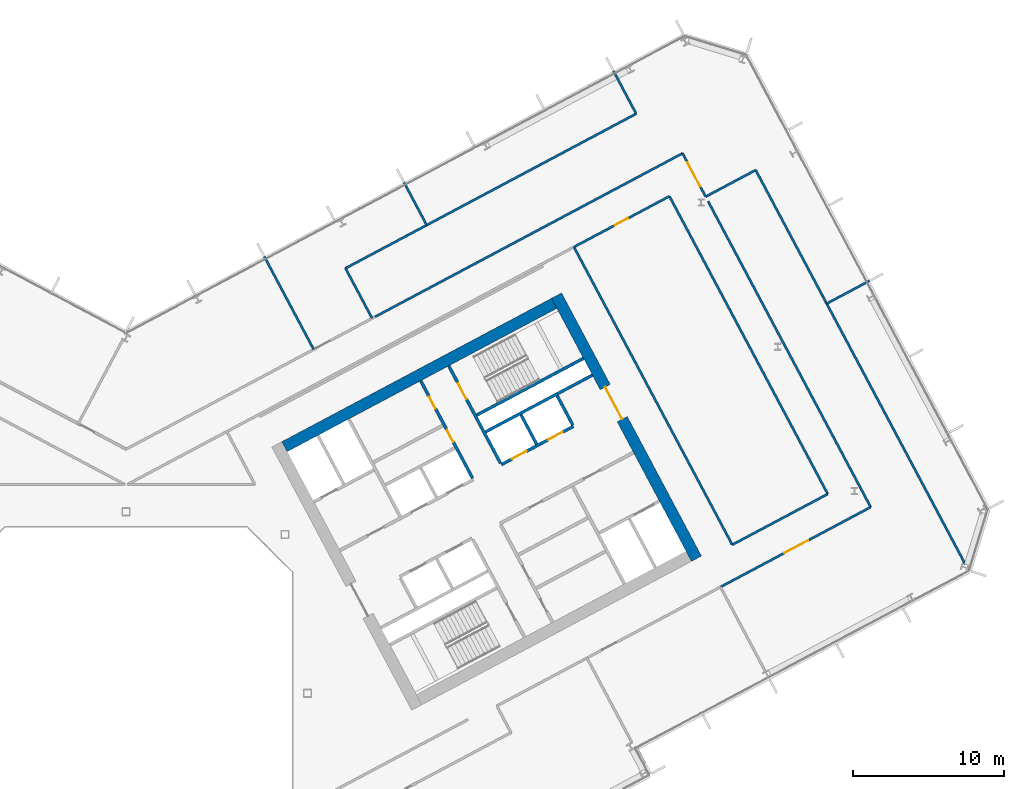
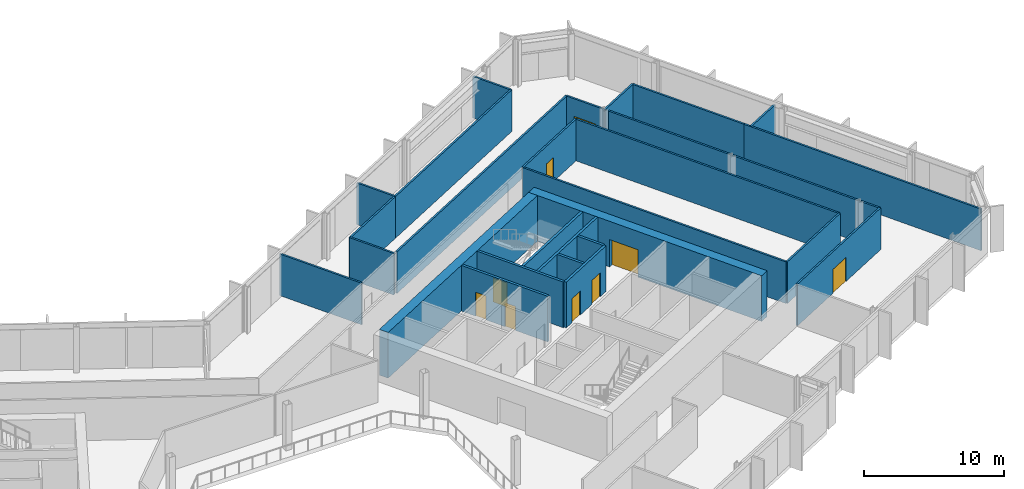
# One storey, part 17 of 28: 27 walls, 9 doors, 9 openings.
"""IFC4 building model written with IfcOpenShell, lengths in metres."""

from ifc_helpers import new_model, si_unit, direction, frame, frame_2d, origin, place, context, subcontext, project, spatial, rectangle, extrude, material, layer, layer_set, type_object, element, fill, save


model = new_model("IFC4")

# Units and contexts
model_context = context("Model", 3, precision=1e-05, world=origin(), true_north=direction((0.0, 1.0)))
body_context = subcontext(model_context, "Body", "Model", "MODEL_VIEW")
ifc_project = project(units=[si_unit("LENGTHUNIT", "METRE"), si_unit("AREAUNIT", "SQUARE_METRE"), si_unit("VOLUMEUNIT", "CUBIC_METRE"), si_unit("PLANEANGLEUNIT", "RADIAN"), si_unit("MASSUNIT", "GRAM", prefix="KILO")], contexts=[model_context])

# Site, building, storey
site_placement = place(None, origin())
site = spatial("IfcSite", under=ifc_project, at=site_placement, CompositionType="ELEMENT")
building_placement = place(site_placement, origin())
building = spatial("IfcBuilding", under=site, at=building_placement, Name="Cormorant Relay Tower", CompositionType="ELEMENT")
storey_placement = place(building_placement, frame((0.0, 0.0, 134.199951171875)))
storey = spatial("IfcBuildingStorey", under=building, at=storey_placement, Name="L27", CompositionType="ELEMENT", Elevation=134.199951171875)

# Wall
ifc_material_1 = material(Name="Concrete 40 MPa", Category="concrete")
ifc_layer_1 = layer(ifc_material_1, 0.199951171875)
ifc_layer_set_1 = layer_set([ifc_layer_1], Name="Core internal wall 200")
wall_type_1 = type_object("IfcWallType", Name="Core internal wall 200", PredefinedType="SOLIDWALL", material=ifc_layer_set_1)
wall_1_placement = place(storey_placement, frame((27.144287109375, 16.471435546875, 0.0), z_axis=(0.0, 0.0, 1.0), x_axis=(-0.469401318492, 0.882984938828, 0.0)))
element("IfcWall", 1, at=wall_1_placement, inside=storey, type_object=wall_type_1, Name="L27 core B shaft and room wall", PredefinedType="SOLIDWALL", context=body_context, shape_type="SweptSolid", body=[
    extrude(rectangle(XDim=2.199951171875, YDim=0.199951171875, at=frame_2d((1.10009765625, 0.0))), origin(), (0.0, 0.0, 1.0), 4.0),
])

# Wall, openings, doors
ifc_material_2 = material(Name="Concrete 50 MPa", Category="concrete")
ifc_layer_2 = layer(ifc_material_2, 0.199951171875)
ifc_layer_set_2 = layer_set([ifc_layer_2], Name="Core shaft wall 200")
wall_type_2 = type_object("IfcWallType", Name="Core shaft wall 200", PredefinedType="SHEAR", material=ifc_layer_set_2)
wall_2_placement = place(storey_placement, frame((22.90625, 14.218017578125, 0.0), z_axis=(0.0, 0.0, 1.0), x_axis=(-0.469480409012, 0.88294288918, 0.0)))
wall_2 = element("IfcWall", 2, at=wall_2_placement, inside=storey, type_object=wall_type_2, Name="L27 core B shaft wall", PredefinedType="SHEAR", context=body_context, shape_type="SweptSolid", body=[
    extrude(rectangle(XDim=7.300048828125, YDim=0.199951171875, at=frame_2d((3.64990234375, 0.0))), origin(), (0.0, 0.0, 1.0), 4.0),
])
opening_1_placement = place(wall_2_placement, frame((2.699951171875, 0.0, 0.0)))
opening_1 = element("IfcOpeningElement", 3, at=opening_1_placement, cuts=wall_2, Name="Opening CDD-192", PredefinedType="OPENING", context=body_context, shape_type="SweptSolid", body=[
    extrude(rectangle(XDim=0.89990234375, YDim=2.10009765625, at=frame_2d((0.449951171875, 1.050048828125))), frame((0.0, 0.10986328125, 0.0), z_axis=(0.0, -1.0, 0.0), x_axis=(1.0, 0.0, 0.0)), (0.0, 0.0, 1.0), 0.219970703125),
])
opening_2_placement = place(wall_2_placement, frame((5.199951171875, 0.0, 0.0)))
opening_2 = element("IfcOpeningElement", 4, at=opening_2_placement, cuts=wall_2, Name="Opening CDD-193", PredefinedType="OPENING", context=body_context, shape_type="SweptSolid", body=[
    extrude(rectangle(XDim=0.89990234375, YDim=2.10009765625, at=frame_2d((0.449951171875, 1.050048828125))), frame((0.0, 0.10986328125, 0.0), z_axis=(0.0, -1.0, 0.0), x_axis=(1.0, 0.0, 0.0)), (0.0, 0.0, 1.0), 0.219970703125),
])
ifc_material_3 = material(Name="Steel fire door", Category="steel")
door_type_1 = type_object("IfcDoorType", Name="Core room door 900x2100", OperationType="SINGLE_SWING_LEFT", PredefinedType="DOOR", material=ifc_material_3)
door_1_placement = place(opening_1_placement, origin())
door_1 = element("IfcDoor", 5, at=door_1_placement, inside=storey, type_object=door_type_1, Name="Core room door 900x2100", OperationType="SINGLE_SWING_RIGHT", OverallHeight=2.10009765625, OverallWidth=0.89990234375, PredefinedType="DOOR", context=body_context, shape_type="SweptSolid", body=[
    extrude(rectangle(XDim=0.89990234375, YDim=2.10009765625, at=frame_2d((0.449951171875, 1.050048828125))), frame((0.0, 0.02490234375, 0.0), z_axis=(0.0, -1.0, 0.0), x_axis=(1.0, 0.0, 0.0)), (0.0, 0.0, 1.0), 0.050048828125),
])
fill(opening_1, door_1)
door_2_placement = place(opening_2_placement, origin())
door_2 = element("IfcDoor", 6, at=door_2_placement, inside=storey, type_object=door_type_1, Name="Core room door 900x2100", OperationType="SINGLE_SWING_LEFT", OverallHeight=2.10009765625, OverallWidth=0.89990234375, PredefinedType="DOOR", context=body_context, shape_type="SweptSolid", body=[
    extrude(rectangle(XDim=0.89990234375, YDim=2.10009765625, at=frame_2d((0.449951171875, 1.050048828125))), frame((0.0, 0.02490234375, 0.0), z_axis=(0.0, -1.0, 0.0), x_axis=(1.0, 0.0, 0.0)), (0.0, 0.0, 1.0), 0.050048828125),
])
fill(opening_2, door_2)

# Wall, opening, door
wall_3_placement = place(storey_placement, frame((24.760498046875, 15.2041015625, 0.0), z_axis=(0.0, 0.0, 1.0), x_axis=(-0.469494272526, 0.882935517501, 0.0)))
wall_3 = element("IfcWall", 7, at=wall_3_placement, inside=storey, type_object=wall_type_2, Name="L27 core B shaft wall", PredefinedType="SHEAR", context=body_context, shape_type="SweptSolid", body=[
    extrude(rectangle(XDim=7.2998046875, YDim=0.199951171875, at=frame_2d((3.64990234375, 0.0))), origin(), (0.0, 0.0, 1.0), 4.0),
])
opening_3_placement = place(wall_3_placement, frame((4.800048828125, 0.0, 0.0)))
opening_3 = element("IfcOpeningElement", 8, at=opening_3_placement, cuts=wall_3, Name="Opening CDB-037", PredefinedType="OPENING", context=body_context, shape_type="SweptSolid", body=[
    extrude(rectangle(XDim=1.199951171875, YDim=2.10009765625, at=frame_2d((0.60009765625, 1.050048828125))), frame((0.0, 0.10986328125, 0.0), z_axis=(0.0, -1.0, 0.0), x_axis=(1.0, 0.0, 0.0)), (0.0, 0.0, 1.0), 0.219970703125),
])
ifc_material_4 = material(Name="Steel fire door", Category="steel")
door_type_2 = type_object("IfcDoorType", Name="Core stair door 1200x2100", OperationType="SINGLE_SWING_LEFT", PredefinedType="DOOR", material=ifc_material_4)
door_3_placement = place(opening_3_placement, frame((1.199951171875, 0.0, 0.0), z_axis=(0.0, 0.0, 1.0), x_axis=(-1.0, 0.0, 0.0)))
door_3 = element("IfcDoor", 9, at=door_3_placement, inside=storey, type_object=door_type_2, Name="Core stair door 1200x2100", OperationType="SINGLE_SWING_RIGHT", OverallHeight=2.10009765625, OverallWidth=1.199951171875, PredefinedType="DOOR", context=body_context, shape_type="SweptSolid", body=[
    extrude(rectangle(XDim=1.199951171875, YDim=2.10009765625, at=frame_2d((0.60009765625, 1.050048828125))), frame((0.0, 0.02490234375, 0.0), z_axis=(0.0, -1.0, 0.0), x_axis=(1.0, 0.0, 0.0)), (0.0, 0.0, 1.0), 0.050048828125),
])
fill(opening_3, door_3)

# Wall
wall_4_placement = place(storey_placement, frame((29.5283203125, 17.739013671875, 0.0), z_axis=(0.0, 0.0, 1.0), x_axis=(-0.469401318492, 0.882984938828, 0.0)))
element("IfcWall", 10, at=wall_4_placement, inside=storey, type_object=wall_type_2, Name="L27 core B shaft wall", PredefinedType="SHEAR", context=body_context, shape_type="SweptSolid", body=[
    extrude(rectangle(XDim=2.199951171875, YDim=0.199951171875, at=frame_2d((1.10009765625, 0.0))), origin(), (0.0, 0.0, 1.0), 4.0),
])

# Wall, openings, doors
wall_5_placement = place(storey_placement, frame((24.807373046875, 15.11572265625, 0.0), z_axis=(0.0, 0.0, 1.0), x_axis=(0.882942972946, 0.469480251476, 0.0)))
wall_5 = element("IfcWall", 11, at=wall_5_placement, inside=storey, type_object=wall_type_2, Name="L27 core B shaft wall", PredefinedType="SHEAR", context=body_context, shape_type="SweptSolid", body=[
    extrude(rectangle(XDim=5.39990234375, YDim=0.199951171875, at=frame_2d((2.699951171875, 0.0))), origin(), (0.0, 0.0, 1.0), 4.0),
])
opening_4_placement = place(wall_5_placement, frame((0.800048828125, 0.0, 0.0)))
opening_4 = element("IfcOpeningElement", 12, at=opening_4_placement, cuts=wall_5, Name="Opening LD1-046", PredefinedType="OPENING", context=body_context, shape_type="SweptSolid", body=[
    extrude(rectangle(XDim=1.10009765625, YDim=2.10009765625, at=frame_2d((0.550048828125, 1.050048828125))), frame((0.0, 0.10986328125, 0.0), z_axis=(0.0, -1.0, 0.0), x_axis=(1.0, 0.0, 0.0)), (0.0, 0.0, 1.0), 0.219970703125),
])
opening_5_placement = place(wall_5_placement, frame((3.5, 0.0, 0.0)))
opening_5 = element("IfcOpeningElement", 13, at=opening_5_placement, cuts=wall_5, Name="Opening LD1-047", PredefinedType="OPENING", context=body_context, shape_type="SweptSolid", body=[
    extrude(rectangle(XDim=1.10009765625, YDim=2.10009765625, at=frame_2d((0.550048828125, 1.050048828125))), frame((0.0, 0.10986328125, 0.0), z_axis=(0.0, -1.0, 0.0), x_axis=(1.0, 0.0, 0.0)), (0.0, 0.0, 1.0), 0.219970703125),
])
ifc_material_5 = material(Name="Stainless steel 316", Category="steel")
door_type_3 = type_object("IfcDoorType", Name="Lift landing door 1100x2100", OperationType="DOUBLE_DOOR_SLIDING", PredefinedType="DOOR", material=ifc_material_5)
door_4_placement = place(opening_4_placement, origin())
door_4 = element("IfcDoor", 14, at=door_4_placement, inside=storey, type_object=door_type_3, Name="LR3 landing door", OperationType="DOUBLE_DOOR_SLIDING", OverallHeight=2.10009765625, OverallWidth=1.10009765625, PredefinedType="DOOR", context=body_context, shape_type="SweptSolid", body=[
    extrude(rectangle(XDim=1.10009765625, YDim=2.10009765625, at=frame_2d((0.550048828125, 1.050048828125))), frame((0.0, 0.02490234375, 0.0), z_axis=(0.0, -1.0, 0.0), x_axis=(1.0, 0.0, 0.0)), (0.0, 0.0, 1.0), 0.050048828125),
])
fill(opening_4, door_4)
door_5_placement = place(opening_5_placement, origin())
door_5 = element("IfcDoor", 15, at=door_5_placement, inside=storey, type_object=door_type_3, Name="LR4 landing door", OperationType="DOUBLE_DOOR_SLIDING", OverallHeight=2.10009765625, OverallWidth=1.10009765625, PredefinedType="DOOR", context=body_context, shape_type="SweptSolid", body=[
    extrude(rectangle(XDim=1.10009765625, YDim=2.10009765625, at=frame_2d((0.550048828125, 1.050048828125))), frame((0.0, 0.02490234375, 0.0), z_axis=(0.0, -1.0, 0.0), x_axis=(1.0, 0.0, 0.0)), (0.0, 0.0, 1.0), 0.050048828125),
])
fill(opening_5, door_5)

# Walls
wall_6_placement = place(storey_placement, frame((23.76904296875, 17.28173828125, 0.0), z_axis=(0.0, 0.0, 1.0), x_axis=(0.882940221191, 0.469485426614, 0.0)))
element("IfcWall", 16, at=wall_6_placement, inside=storey, type_object=wall_type_2, Name="L27 core B shaft wall", PredefinedType="SHEAR", context=body_context, shape_type="SweptSolid", body=[
    extrude(rectangle(XDim=8.0, YDim=0.199951171875, at=frame_2d((4.0, 0.0))), origin(), (0.0, 0.0, 1.0), 4.0),
])
wall_7_placement = place(storey_placement, frame((23.18212890625, 18.385498046875, 0.0), z_axis=(0.0, 0.0, 1.0), x_axis=(0.88295287151, 0.469461634952, 0.0)))
element("IfcWall", 17, at=wall_7_placement, inside=storey, type_object=wall_type_2, Name="L27 core B shaft wall", PredefinedType="SHEAR", context=body_context, shape_type="SweptSolid", body=[
    extrude(rectangle(XDim=7.999755859375, YDim=0.199951171875, at=frame_2d((4.0, 0.0))), origin(), (0.0, 0.0, 1.0), 4.0),
])

# Wall, opening, door
ifc_material_6 = material(Name="Concrete 60 MPa", Category="concrete")
ifc_layer_3 = layer(ifc_material_6, 0.75)
ifc_layer_set_3 = layer_set([ifc_layer_3], Name="Core wall 750")
wall_type_3 = type_object("IfcWallType", Name="Core wall 750", PredefinedType="SHEAR", material=ifc_layer_set_3)
wall_8_placement = place(storey_placement, frame((37.712646484375, 8.896484375, 0.0), z_axis=(0.0, 0.0, 1.0), x_axis=(-0.469469918705, 0.88294846703, 0.0)))
wall_8 = element("IfcWall", 18, at=wall_8_placement, inside=storey, type_object=wall_type_3, Name="L27 core B wall", PredefinedType="SHEAR", context=body_context, shape_type="SweptSolid", body=[
    extrude(rectangle(XDim=19.699951171875, YDim=0.75, at=frame_2d((9.85009765625, 0.0))), origin(), (0.0, 0.0, 1.0), 4.0),
])
opening_6_placement = place(wall_8_placement, frame((10.449951171875, 0.0, 0.0)))
opening_6 = element("IfcOpeningElement", 19, at=opening_6_placement, cuts=wall_8, Name="Opening CDA-029", PredefinedType="OPENING", context=body_context, shape_type="SweptSolid", body=[
    extrude(rectangle(XDim=2.39990234375, YDim=2.39990234375, at=frame_2d((1.199951171875, 1.199951171875))), frame((0.0, 0.385009765625, 0.0), z_axis=(0.0, -1.0, 0.0), x_axis=(1.0, 0.0, 0.0)), (0.0, 0.0, 1.0), 0.77001953125),
])
ifc_material_7 = material(Name="Steel fire door", Category="steel")
door_type_4 = type_object("IfcDoorType", Name="Core lobby door 2400x2400", OperationType="DOUBLE_DOOR_SINGLE_SWING", PredefinedType="DOOR", material=ifc_material_7)
door_6_placement = place(opening_6_placement, origin())
door_6 = element("IfcDoor", 20, at=door_6_placement, inside=storey, type_object=door_type_4, Name="Core lobby door 2400x2400", OperationType="DOUBLE_DOOR_SINGLE_SWING", OverallHeight=2.39990234375, OverallWidth=2.39990234375, PredefinedType="DOOR", context=body_context, shape_type="SweptSolid", body=[
    extrude(rectangle(XDim=2.39990234375, YDim=2.39990234375, at=frame_2d((1.199951171875, 1.199951171875))), frame((0.0, 0.02490234375, 0.0), z_axis=(0.0, -1.0, 0.0), x_axis=(1.0, 0.0, 0.0)), (0.0, 0.0, 1.0), 0.050048828125),
])
fill(opening_6, door_6)

# Wall
wall_9_placement = place(storey_placement, frame((10.4736328125, 16.300048828125, 0.0), z_axis=(0.0, 0.0, 1.0), x_axis=(0.88295010195, 0.469466843842, 0.0)))
element("IfcWall", 21, at=wall_9_placement, inside=storey, type_object=wall_type_3, Name="L27 core B wall", PredefinedType="SHEAR", context=body_context, shape_type="SweptSolid", body=[
    extrude(rectangle(XDim=20.199951171875, YDim=0.75, at=frame_2d((10.10009765625, 0.0))), origin(), (0.0, 0.0, 1.0), 4.0),
])

# Wall, opening, door
ifc_material_8 = material(Name="Gypsum board fire partition")
ifc_layer_4 = layer(ifc_material_8, 0.14990234375)
ifc_layer_set_4 = layer_set([ifc_layer_4], Name="Corridor partition 150 EI 60")
wall_type_4 = type_object("IfcWallType", Name="Corridor partition 150 EI 60", PredefinedType="PARTITIONING", material=ifc_layer_set_4)
wall_10_placement = place(storey_placement, frame((38.318115234375, 32.840087890625, 0.0), z_axis=(0.0, 0.0, 1.0), x_axis=(-0.469716602495, 0.882817259313, 0.0)))
wall_10 = element("IfcWall", 22, at=wall_10_placement, inside=storey, type_object=wall_type_4, Name="wall/L27/part/060", PredefinedType="PARTITIONING", context=body_context, shape_type="SweptSolid", body=[
    extrude(rectangle(XDim=3.24267578125, YDim=0.14990234375, at=frame_2d((1.621337890625, 0.0))), origin(), (0.0, 0.0, 1.0), 3.64013671875),
])
opening_7_placement = place(wall_10_placement, frame((0.75, 0.0, 0.0)))
opening_7 = element("IfcOpeningElement", 23, at=opening_7_placement, cuts=wall_10, Name="Opening DD-008", PredefinedType="OPENING", context=body_context, shape_type="SweptSolid", body=[
    extrude(rectangle(XDim=1.800048828125, YDim=2.10009765625, at=frame_2d((0.89990234375, 1.050048828125))), frame((0.0, 0.0849609375, 0.0), z_axis=(0.0, -1.0, 0.0), x_axis=(1.0, 0.0, 0.0)), (0.0, 0.0, 1.0), 0.169921875),
])
ifc_material_9 = material(Name="Timber door leaf", Category="wood")
door_type_5 = type_object("IfcDoorType", Name="Suite double door 1800x2100", OperationType="DOUBLE_DOOR_SINGLE_SWING", PredefinedType="DOOR", material=ifc_material_9)
door_7_placement = place(opening_7_placement, frame((1.800048828125, 0.0, 0.0), z_axis=(0.0, 0.0, 1.0), x_axis=(-1.0, 0.0, 0.0)))
door_7 = element("IfcDoor", 24, at=door_7_placement, inside=storey, type_object=door_type_5, Name="door/L27/007", OperationType="DOUBLE_DOOR_SINGLE_SWING", OverallHeight=2.10009765625, OverallWidth=1.800048828125, PredefinedType="DOOR", context=body_context, shape_type="SweptSolid", body=[
    extrude(rectangle(XDim=1.800048828125, YDim=2.10009765625, at=frame_2d((0.89990234375, 1.050048828125))), frame((0.0, 0.02490234375, 0.0), z_axis=(0.0, -1.0, 0.0), x_axis=(1.0, 0.0, 0.0)), (0.0, 0.0, 1.0), 0.050048828125),
])
fill(opening_7, door_7)

# Wall
wall_11_placement = place(storey_placement, frame((36.794921875, 35.702880859375, 0.0), z_axis=(0.0, 0.0, 1.0), x_axis=(-0.882943092456, -0.469480026716, 0.0)))
element("IfcWall", 25, at=wall_11_placement, inside=storey, type_object=wall_type_4, Name="wall/L27/part/061", PredefinedType="PARTITIONING", context=body_context, shape_type="SweptSolid", body=[
    extrude(rectangle(XDim=23.025146484375, YDim=0.14990234375, at=frame_2d((11.5126953125, 0.0))), origin(), (0.0, 0.0, 1.0), 3.64013671875),
])

# Wall, opening, door
wall_12_placement = place(storey_placement, frame((29.614013671875, 29.507080078125, 0.0), z_axis=(0.0, 0.0, 1.0), x_axis=(0.882989239747, 0.469393227998, 0.0)))
wall_12 = element("IfcWall", 26, at=wall_12_placement, inside=storey, type_object=wall_type_4, Name="wall/L27/part/069", PredefinedType="PARTITIONING", context=body_context, shape_type="SweptSolid", body=[
    extrude(rectangle(XDim=7.149658203125, YDim=0.14990234375, at=frame_2d((3.57470703125, 0.0))), origin(), (0.0, 0.0, 1.0), 3.64013671875),
])
opening_8_placement = place(wall_12_placement, frame((3.050048828125, 0.0, 0.0)))
opening_8 = element("IfcOpeningElement", 27, at=opening_8_placement, cuts=wall_12, Name="Opening DS-034", PredefinedType="OPENING", context=body_context, shape_type="SweptSolid", body=[
    extrude(rectangle(XDim=1.0, YDim=2.10009765625, at=frame_2d((0.5, 1.050048828125))), frame((0.0, 0.0849609375, 0.0), z_axis=(0.0, -1.0, 0.0), x_axis=(1.0, 0.0, 0.0)), (0.0, 0.0, 1.0), 0.169921875),
])
ifc_material_10 = material(Name="Timber door leaf", Category="wood")
door_type_6 = type_object("IfcDoorType", Name="Suite door 1000x2100", OperationType="SINGLE_SWING_LEFT", PredefinedType="DOOR", material=ifc_material_10)
door_8_placement = place(opening_8_placement, origin())
door_8 = element("IfcDoor", 28, at=door_8_placement, inside=storey, type_object=door_type_6, Name="door/L27/021", OperationType="SINGLE_SWING_LEFT", OverallHeight=2.10009765625, OverallWidth=1.0, PredefinedType="DOOR", context=body_context, shape_type="SweptSolid", body=[
    extrude(rectangle(XDim=1.0, YDim=2.10009765625, at=frame_2d((0.5, 1.050048828125))), frame((0.0, 0.02490234375, 0.0), z_axis=(0.0, -1.0, 0.0), x_axis=(1.0, 0.0, 0.0)), (0.0, 0.0, 1.0), 0.050048828125),
])
fill(opening_8, door_8)

# Walls
wall_13_placement = place(storey_placement, frame((35.927001953125, 32.863037109375, 0.0), z_axis=(0.0, 0.0, 1.0), x_axis=(0.469478059645, -0.882944138387, 0.0)))
element("IfcWall", 29, at=wall_13_placement, inside=storey, type_object=wall_type_4, Name="wall/L27/part/070", PredefinedType="PARTITIONING", context=body_context, shape_type="SweptSolid", body=[
    extrude(rectangle(XDim=22.29931640625, YDim=0.14990234375, at=frame_2d((11.149658203125, 0.0))), origin(), (0.0, 0.0, 1.0), 3.64013671875),
])
wall_14_placement = place(storey_placement, frame((46.39599609375, 13.174072265625, 0.0), z_axis=(0.0, 0.0, 1.0), x_axis=(-0.882918469701, -0.469526331381, 0.0)))
element("IfcWall", 30, at=wall_14_placement, inside=storey, type_object=wall_type_4, Name="wall/L27/part/071", PredefinedType="PARTITIONING", context=body_context, shape_type="SweptSolid", body=[
    extrude(rectangle(XDim=7.150146484375, YDim=0.14990234375, at=frame_2d((3.5751953125, 0.0))), origin(), (0.0, 0.0, 1.0), 3.64013671875),
])
wall_15_placement = place(storey_placement, frame((40.0830078125, 9.81689453125, 0.0), z_axis=(0.0, 0.0, 1.0), x_axis=(-0.469455368788, 0.88295620317, 0.0)))
element("IfcWall", 31, at=wall_15_placement, inside=storey, type_object=wall_type_4, Name="wall/L27/part/076", PredefinedType="PARTITIONING", context=body_context, shape_type="SweptSolid", body=[
    extrude(rectangle(XDim=22.30029296875, YDim=0.14990234375, at=frame_2d((11.150146484375, 0.0))), origin(), (0.0, 0.0, 1.0), 3.64013671875),
])

# Wall, opening, door
wall_16_placement = place(storey_placement, frame((39.321044921875, 7.033935546875, 0.0), z_axis=(0.0, 0.0, 1.0), x_axis=(0.882945641188, 0.469475233326, 0.0)))
wall_16 = element("IfcWall", 32, at=wall_16_placement, inside=storey, type_object=wall_type_4, Name="wall/L27/part/080", PredefinedType="PARTITIONING", context=body_context, shape_type="SweptSolid", body=[
    extrude(rectangle(XDim=11.2294921875, YDim=0.14990234375, at=frame_2d((5.61474609375, 0.0))), origin(), (0.0, 0.0, 1.0), 3.64013671875),
])
opening_9_placement = place(wall_16_placement, frame((4.7509765625, 0.0, 0.0)))
opening_9 = element("IfcOpeningElement", 33, at=opening_9_placement, cuts=wall_16, Name="Opening DD-007", PredefinedType="OPENING", context=body_context, shape_type="SweptSolid", body=[
    extrude(rectangle(XDim=1.800048828125, YDim=2.10009765625, at=frame_2d((0.89990234375, 1.050048828125))), frame((0.0, 0.0849609375, 0.0), z_axis=(0.0, -1.0, 0.0), x_axis=(1.0, 0.0, 0.0)), (0.0, 0.0, 1.0), 0.169921875),
])
door_9_placement = place(opening_9_placement, frame((1.800048828125, 0.0, 0.0), z_axis=(0.0, 0.0, 1.0), x_axis=(-1.0, 0.0, 0.0)))
door_9 = element("IfcDoor", 34, at=door_9_placement, inside=storey, type_object=door_type_5, Name="door/L27/006", OperationType="DOUBLE_DOOR_SINGLE_SWING", OverallHeight=2.10009765625, OverallWidth=1.800048828125, PredefinedType="DOOR", context=body_context, shape_type="SweptSolid", body=[
    extrude(rectangle(XDim=1.800048828125, YDim=2.10009765625, at=frame_2d((0.89990234375, 1.050048828125))), frame((0.0, 0.02490234375, 0.0), z_axis=(0.0, -1.0, 0.0), x_axis=(1.0, 0.0, 0.0)), (0.0, 0.0, 1.0), 0.050048828125),
])
fill(opening_9, door_9)

# Walls
wall_17_placement = place(storey_placement, frame((38.48291015625, 32.529052734375, 0.0), z_axis=(0.0, 0.0, 1.0), x_axis=(0.469465364691, -0.882950888416, 0.0)))
element("IfcWall", 35, at=wall_17_placement, inside=storey, type_object=wall_type_4, Name="wall/L27/part/081", PredefinedType="PARTITIONING", context=body_context, shape_type="SweptSolid", body=[
    extrude(rectangle(XDim=22.905029296875, YDim=0.14990234375, at=frame_2d((11.45263671875, 0.0))), origin(), (0.0, 0.0, 1.0), 3.64013671875),
])
ifc_material_11 = material(Name="Gypsum board partition")
ifc_layer_5 = layer(ifc_material_11, 0.14990234375)
ifc_layer_set_5 = layer_set([ifc_layer_5], Name="Tenant partition 150")
wall_type_5 = type_object("IfcWallType", Name="Tenant partition 150", PredefinedType="PARTITIONING", material=ifc_layer_set_5)
wall_18_placement = place(storey_placement, frame((9.139892578125, 28.8701171875, 0.0), z_axis=(0.0, 0.0, 1.0), x_axis=(0.469526748636, -0.88291824781, 0.0)))
element("IfcWall", 36, at=wall_18_placement, inside=storey, type_object=wall_type_5, Name="wall/L27/part/052", PredefinedType="PARTITIONING", context=body_context, shape_type="SweptSolid", body=[
    extrude(rectangle(XDim=6.949951171875, YDim=0.14990234375, at=frame_2d((3.47509765625, 0.0))), origin(), (0.0, 0.0, 1.0), 3.64013671875),
])
wall_19_placement = place(storey_placement, frame((14.507080078125, 28.10009765625, 0.0), z_axis=(0.0, 0.0, 1.0), x_axis=(0.469217340227, -0.883082718453, 0.0)))
element("IfcWall", 37, at=wall_19_placement, inside=storey, type_object=wall_type_5, Name="wall/L27/part/058", PredefinedType="PARTITIONING", context=body_context, shape_type="SweptSolid", body=[
    extrude(rectangle(XDim=3.73583984375, YDim=0.14990234375, at=frame_2d((1.867919921875, 0.0))), origin(), (0.0, 0.0, 1.0), 3.64013671875),
])
wall_20_placement = place(storey_placement, frame((14.506103515625, 28.09912109375, 0.0), z_axis=(0.0, 0.0, 1.0), x_axis=(0.882951640414, 0.469463950363, 0.0)))
element("IfcWall", 38, at=wall_20_placement, inside=storey, type_object=wall_type_5, Name="wall/L27/part/059", PredefinedType="PARTITIONING", context=body_context, shape_type="SweptSolid", body=[
    extrude(rectangle(XDim=6.031982421875, YDim=0.14990234375, at=frame_2d((3.01611328125, 0.0))), origin(), (0.0, 0.0, 1.0), 3.64013671875),
])
wall_21_placement = place(storey_placement, frame((18.3740234375, 33.780029296875, 0.0), z_axis=(0.0, 0.0, 1.0), x_axis=(0.469685095616, -0.882834022315, 0.0)))
element("IfcWall", 39, at=wall_21_placement, inside=storey, type_object=wall_type_5, Name="wall/L27/part/062", PredefinedType="PARTITIONING", context=body_context, shape_type="SweptSolid", body=[
    extrude(rectangle(XDim=3.199951171875, YDim=0.14990234375, at=frame_2d((1.60009765625, 0.0))), origin(), (0.0, 0.0, 1.0), 3.64013671875),
])
wall_22_placement = place(storey_placement, frame((19.83203125, 30.930908203125, 0.0), z_axis=(0.0, 0.0, 1.0), x_axis=(0.88293368678, 0.469497715382, 0.0)))
element("IfcWall", 40, at=wall_22_placement, inside=storey, type_object=wall_type_5, Name="wall/L27/part/065", PredefinedType="PARTITIONING", context=body_context, shape_type="SweptSolid", body=[
    extrude(rectangle(XDim=15.738525390625, YDim=0.14990234375, at=frame_2d((7.869140625, 0.0))), origin(), (0.0, 0.0, 1.0), 3.64013671875),
])
wall_23_placement = place(storey_placement, frame((33.72802734375, 38.320068359375, 0.0), z_axis=(0.0, 0.0, 1.0), x_axis=(-0.469320691295, 0.883027796121, 0.0)))
element("IfcWall", 41, at=wall_23_placement, inside=storey, type_object=wall_type_5, Name="wall/L27/part/066", PredefinedType="PARTITIONING", context=body_context, shape_type="SweptSolid", body=[
    extrude(rectangle(XDim=3.2001953125, YDim=0.14990234375, at=frame_2d((1.60009765625, 0.0))), origin(), (0.0, 0.0, 1.0), 3.64013671875),
])
wall_24_placement = place(storey_placement, frame((46.0810546875, 26.22607421875, 0.0), z_axis=(0.0, 0.0, 1.0), x_axis=(-0.469444635522, 0.882961909812, 0.0)))
element("IfcWall", 42, at=wall_24_placement, inside=storey, type_object=wall_type_5, Name="wall/L27/part/078", PredefinedType="PARTITIONING", context=body_context, shape_type="SweptSolid", body=[
    extrude(rectangle(XDim=9.47705078125, YDim=0.14990234375, at=frame_2d((4.738525390625, 0.0))), origin(), (0.0, 0.0, 1.0), 3.64013671875),
])
wall_25_placement = place(storey_placement, frame((41.632080078125, 34.593994140625, 0.0), z_axis=(0.0, 0.0, 1.0), x_axis=(-0.883031968756, -0.46931284039, 0.0)))
element("IfcWall", 43, at=wall_25_placement, inside=storey, type_object=wall_type_5, Name="wall/L27/part/079", PredefinedType="PARTITIONING", context=body_context, shape_type="SweptSolid", body=[
    extrude(rectangle(XDim=3.737060546875, YDim=0.14990234375, at=frame_2d((1.86865234375, 0.0))), origin(), (0.0, 0.0, 1.0), 3.64013671875),
])
wall_26_placement = place(storey_placement, frame((46.0810546875, 26.22607421875, 0.0), z_axis=(0.0, 0.0, 1.0), x_axis=(0.469497962096, -0.88293355559, 0.0)))
element("IfcWall", 44, at=wall_26_placement, inside=storey, type_object=wall_type_5, Name="wall/L27/part/082", PredefinedType="PARTITIONING", context=body_context, shape_type="SweptSolid", body=[
    extrude(rectangle(XDim=20.031982421875, YDim=0.14990234375, at=frame_2d((10.01611328125, 0.0))), origin(), (0.0, 0.0, 1.0), 3.64013671875),
])
wall_27_placement = place(storey_placement, frame((49.152099609375, 27.26806640625, 0.0), z_axis=(0.0, 0.0, 1.0), x_axis=(-0.882819217955, -0.469712921271, 0.0)))
element("IfcWall", 45, at=wall_27_placement, inside=storey, type_object=wall_type_5, Name="wall/L27/part/083", PredefinedType="PARTITIONING", context=body_context, shape_type="SweptSolid", body=[
    extrude(rectangle(XDim=3.2001953125, YDim=0.14990234375, at=frame_2d((1.60009765625, 0.0))), origin(), (0.0, 0.0, 1.0), 3.64013671875),
])

save(model, "model.ifc")
